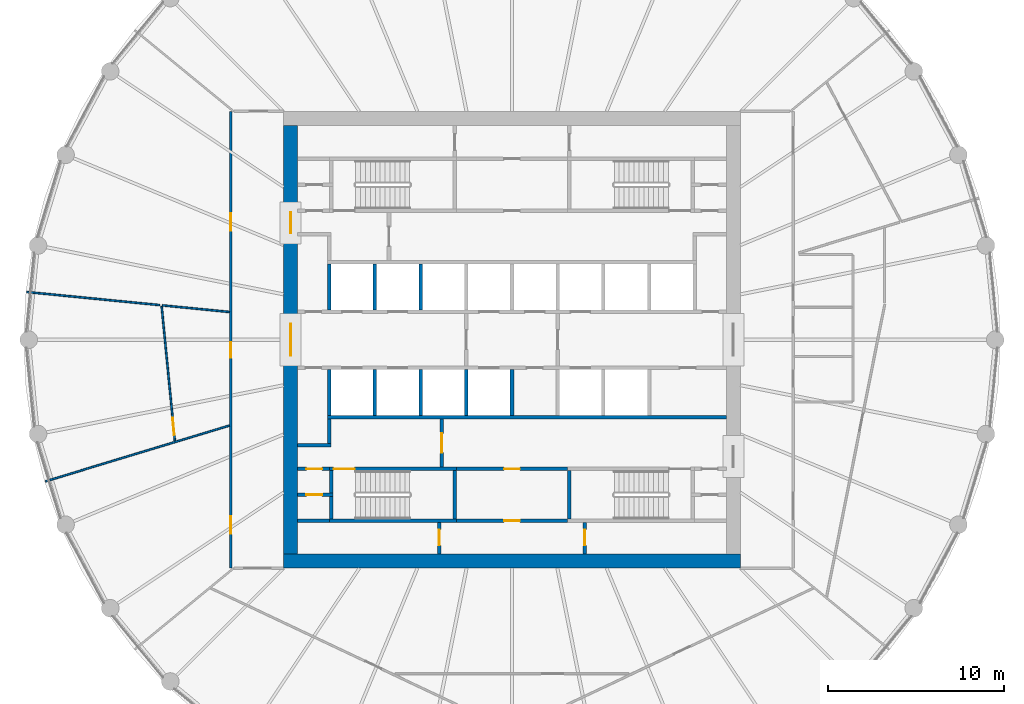
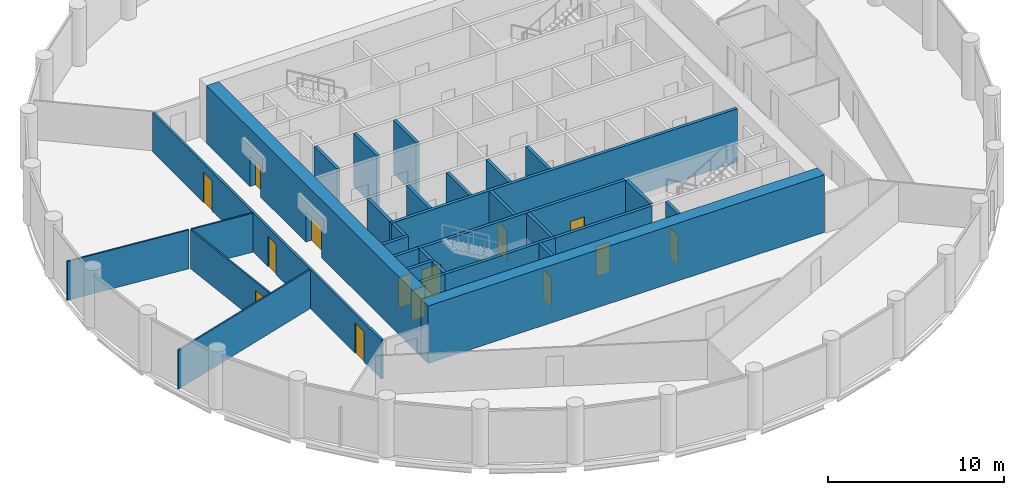
# One storey, part 4 of 8: 32 walls, 14 doors, 14 openings.
"""IFC4 building model written with IfcOpenShell, lengths in metres."""

from ifc_helpers import new_model, si_unit, direction, frame, frame_2d, origin, place, context, subcontext, project, spatial, polyline, rectangle, outline, extrude, material, layer, layer_set, type_object, element, fill, save


model = new_model("IFC4")

# Units and contexts
model_context = context("Model", 3, precision=1e-05, world=origin(), true_north=direction((0.0, 1.0)))
body_context = subcontext(model_context, "Body", "Model", "MODEL_VIEW")
ifc_project = project(units=[si_unit("LENGTHUNIT", "METRE"), si_unit("AREAUNIT", "SQUARE_METRE"), si_unit("VOLUMEUNIT", "CUBIC_METRE"), si_unit("PLANEANGLEUNIT", "RADIAN"), si_unit("MASSUNIT", "GRAM", prefix="KILO")], contexts=[model_context])

# Site, building, storey
site_placement = place(None, origin())
site = spatial("IfcSite", under=ifc_project, at=site_placement, CompositionType="ELEMENT")
building_placement = place(site_placement, origin())
building = spatial("IfcBuilding", under=site, at=building_placement, Name="Corvane Civic Tower", CompositionType="ELEMENT")
storey_placement = place(building_placement, frame((0.0, 0.0, 213.5)))
storey = spatial("IfcBuildingStorey", under=building, at=storey_placement, Name="L50", CompositionType="ELEMENT", Elevation=213.5)

# Wall
ifc_material_1 = material(Name="Concrete C50/60", Category="concrete")
ifc_layer_1 = layer(ifc_material_1, 0.800048828125)
ifc_layer_set_1 = layer_set([ifc_layer_1], Name="Concrete C50/60")
wall_type_1 = type_object("IfcWallType", Name="CORE WALL 800 C50/60", PredefinedType="SHEAR", material=ifc_layer_set_1)
wall_1_placement = place(storey_placement, frame((-13.0, -12.60009765625, 0.0), z_axis=(0.0, 0.0, 1.0), x_axis=(1.0, 0.0, 0.0)))
element("IfcWall", 1, at=wall_1_placement, inside=storey, type_object=wall_type_1, Name="W-L50-core-S", PredefinedType="SHEAR", context=body_context, shape_type="SweptSolid", body=[
    extrude(rectangle(XDim=26.0, YDim=0.800048828125, at=frame_2d((13.0, 0.0))), origin(), (0.0, 0.0, 1.0), 4.0),
])

# Wall, openings, doors
wall_2_placement = place(storey_placement, frame((-12.60009765625, -12.199951171875, 0.0), z_axis=(0.0, 0.0, 1.0), x_axis=(0.0, 1.0, 0.0)))
wall_2 = element("IfcWall", 2, at=wall_2_placement, inside=storey, type_object=wall_type_1, Name="W-L50-core-W", PredefinedType="SHEAR", context=body_context, shape_type="SweptSolid", body=[
    extrude(rectangle(XDim=24.39990234375, YDim=0.800048828125, at=frame_2d((12.199951171875, 0.0))), origin(), (0.0, 0.0, 1.0), 4.0),
])
opening_1_placement = place(wall_2_placement, frame((11.300048828125, 0.0, 0.0)))
opening_1 = element("IfcOpeningElement", 3, at=opening_1_placement, cuts=wall_2, Name="Opening L50.C30", PredefinedType="OPENING", context=body_context, shape_type="SweptSolid", body=[
    extrude(rectangle(XDim=1.800048828125, YDim=2.10009765625, at=frame_2d((0.89990234375, 1.050048828125))), frame((0.0, 0.409912109375, 0.0), z_axis=(0.0, -1.0, 0.0), x_axis=(1.0, 0.0, 0.0)), (0.0, 0.0, 1.0), 0.820068359375),
])
opening_2_placement = place(wall_2_placement, frame((18.25, 0.0, 0.0)))
opening_2 = element("IfcOpeningElement", 4, at=opening_2_placement, cuts=wall_2, Name="Opening L50.C32", PredefinedType="OPENING", context=body_context, shape_type="SweptSolid", body=[
    extrude(rectangle(XDim=1.199951171875, YDim=2.10009765625, at=frame_2d((0.60009765625, 1.050048828125))), frame((0.0, 0.409912109375, 0.0), z_axis=(0.0, -1.0, 0.0), x_axis=(1.0, 0.0, 0.0)), (0.0, 0.0, 1.0), 0.820068359375),
])
ifc_material_2 = material(Name="Steel fire door leaf", Category="steel")
door_type_1 = type_object("IfcDoorType", Name="CR-DOOR-CORE-1800", OperationType="DOUBLE_DOOR_SINGLE_SWING", PredefinedType="DOOR", material=ifc_material_2)
door_1_placement = place(opening_1_placement, origin())
door_1 = element("IfcDoor", 5, at=door_1_placement, inside=storey, type_object=door_type_1, Name="L50 door", OperationType="DOUBLE_DOOR_SINGLE_SWING", OverallHeight=2.10009765625, OverallWidth=1.800048828125, PredefinedType="DOOR", context=body_context, shape_type="SweptSolid", body=[
    extrude(rectangle(XDim=1.800048828125, YDim=2.10009765625, at=frame_2d((0.89990234375, 1.050048828125))), frame((0.0, 0.02490234375, 0.0), z_axis=(0.0, -1.0, 0.0), x_axis=(1.0, 0.0, 0.0)), (0.0, 0.0, 1.0), 0.050048828125),
])
fill(opening_1, door_1)
door_2_placement = place(opening_2_placement, origin())
door_2 = element("IfcDoor", 6, at=door_2_placement, inside=storey, type_object=door_type_1, Name="L50 door", OperationType="DOUBLE_DOOR_SINGLE_SWING", OverallHeight=2.10009765625, OverallWidth=1.199951171875, PredefinedType="DOOR", context=body_context, shape_type="SweptSolid", body=[
    extrude(rectangle(XDim=1.199951171875, YDim=2.10009765625, at=frame_2d((0.60009765625, 1.050048828125))), frame((0.0, 0.02490234375, 0.0), z_axis=(0.0, -1.0, 0.0), x_axis=(1.0, 0.0, 0.0)), (0.0, 0.0, 1.0), 0.050048828125),
])
fill(opening_2, door_2)

# Wall, opening, door
ifc_material_3 = material(Name="Concrete C30/37", Category="concrete")
ifc_layer_2 = layer(ifc_material_3, 0.199951171875)
ifc_layer_set_2 = layer_set([ifc_layer_2], Name="Concrete C30/37")
wall_type_2 = type_object("IfcWallType", Name="CR-WALL-200", PredefinedType="PARTITIONING", material=ifc_layer_set_2)
wall_3_placement = place(storey_placement, frame((-3.14990234375, -10.300048828125, 0.0), z_axis=(0.0, 0.0, 1.0), x_axis=(1.0, 0.0, 0.0)))
wall_3 = element("IfcWall", 7, at=wall_3_placement, inside=storey, type_object=wall_type_2, Name="L50 partition wall", PredefinedType="PARTITIONING", context=body_context, shape_type="SweptSolid", body=[
    extrude(rectangle(XDim=6.2998046875, YDim=0.199951171875, at=frame_2d((3.14990234375, 0.0))), origin(), (0.0, 0.0, 1.0), 3.699951171875),
])
opening_3_placement = place(wall_3_placement, frame((2.699951171875, 0.0, 0.0)))
opening_3 = element("IfcOpeningElement", 8, at=opening_3_placement, cuts=wall_3, Name="Opening L50.C12", PredefinedType="OPENING", context=body_context, shape_type="SweptSolid", body=[
    extrude(rectangle(XDim=0.89990234375, YDim=2.10009765625, at=frame_2d((0.449951171875, 1.050048828125))), frame((0.0, 0.10986328125, 0.0), z_axis=(0.0, -1.0, 0.0), x_axis=(1.0, 0.0, 0.0)), (0.0, 0.0, 1.0), 0.219970703125),
])
ifc_material_4 = material(Name="Steel fire door leaf", Category="steel")
door_type_2 = type_object("IfcDoorType", Name="CR-DOOR-900", OperationType="SINGLE_SWING_LEFT", PredefinedType="DOOR", material=ifc_material_4)
door_3_placement = place(opening_3_placement, origin())
door_3 = element("IfcDoor", 9, at=door_3_placement, inside=storey, type_object=door_type_2, Name="L50 door", OperationType="SINGLE_SWING_LEFT", OverallHeight=2.10009765625, OverallWidth=0.89990234375, PredefinedType="DOOR", context=body_context, shape_type="SweptSolid", body=[
    extrude(rectangle(XDim=0.89990234375, YDim=2.10009765625, at=frame_2d((0.449951171875, 1.050048828125))), frame((0.0, 0.02490234375, 0.0), z_axis=(0.0, -1.0, 0.0), x_axis=(1.0, 0.0, 0.0)), (0.0, 0.0, 1.0), 0.050048828125),
])
fill(opening_3, door_3)

wall_4_placement = place(storey_placement, frame((-12.199951171875, -8.824951171875, 0.0), z_axis=(0.0, 0.0, 1.0), x_axis=(1.0, 0.0, 0.0)))
wall_4 = element("IfcWall", 10, at=wall_4_placement, inside=storey, type_object=wall_type_2, Name="L50 partition wall", PredefinedType="PARTITIONING", context=body_context, shape_type="SweptSolid", body=[
    extrude(rectangle(XDim=2.0, YDim=0.199951171875, at=frame_2d((1.0, 0.0))), origin(), (0.0, 0.0, 1.0), 3.699951171875),
])
opening_4_placement = place(wall_4_placement, frame((0.5, 0.0, 0.0)))
opening_4 = element("IfcOpeningElement", 11, at=opening_4_placement, cuts=wall_4, Name="Opening L50.C17", PredefinedType="OPENING", context=body_context, shape_type="SweptSolid", body=[
    extrude(rectangle(XDim=0.89990234375, YDim=2.10009765625, at=frame_2d((0.449951171875, 1.050048828125))), frame((0.0, 0.10986328125, 0.0), z_axis=(0.0, -1.0, 0.0), x_axis=(1.0, 0.0, 0.0)), (0.0, 0.0, 1.0), 0.219970703125),
])
door_4_placement = place(opening_4_placement, origin())
door_4 = element("IfcDoor", 12, at=door_4_placement, inside=storey, type_object=door_type_2, Name="L50 door", OperationType="SINGLE_SWING_LEFT", OverallHeight=2.10009765625, OverallWidth=0.89990234375, PredefinedType="DOOR", context=body_context, shape_type="SweptSolid", body=[
    extrude(rectangle(XDim=0.89990234375, YDim=2.10009765625, at=frame_2d((0.449951171875, 1.050048828125))), frame((0.0, 0.02490234375, 0.0), z_axis=(0.0, -1.0, 0.0), x_axis=(1.0, 0.0, 0.0)), (0.0, 0.0, 1.0), 0.050048828125),
])
fill(opening_4, door_4)

wall_5_placement = place(storey_placement, frame((-12.199951171875, -7.35009765625, 0.0), z_axis=(0.0, 0.0, 1.0), x_axis=(1.0, 0.0, 0.0)))
wall_5 = element("IfcWall", 13, at=wall_5_placement, inside=storey, type_object=wall_type_2, Name="L50 core partition wall", PredefinedType="PARTITIONING", context=body_context, shape_type="SweptSolid", body=[
    extrude(rectangle(XDim=1.800048828125, YDim=0.199951171875, at=frame_2d((0.89990234375, 0.0))), origin(), (0.0, 0.0, 1.0), 3.699951171875),
])
opening_5_placement = place(wall_5_placement, frame((0.5, 0.0, 0.0)))
opening_5 = element("IfcOpeningElement", 14, at=opening_5_placement, cuts=wall_5, Name="Opening L50.C16", PredefinedType="OPENING", context=body_context, shape_type="SweptSolid", body=[
    extrude(rectangle(XDim=0.89990234375, YDim=2.10009765625, at=frame_2d((0.449951171875, 1.050048828125))), frame((0.0, 0.10986328125, 0.0), z_axis=(0.0, -1.0, 0.0), x_axis=(1.0, 0.0, 0.0)), (0.0, 0.0, 1.0), 0.219970703125),
])
door_5_placement = place(opening_5_placement, origin())
door_5 = element("IfcDoor", 15, at=door_5_placement, inside=storey, type_object=door_type_2, Name="L50 door", OperationType="SINGLE_SWING_LEFT", OverallHeight=2.10009765625, OverallWidth=0.89990234375, PredefinedType="DOOR", context=body_context, shape_type="SweptSolid", body=[
    extrude(rectangle(XDim=0.89990234375, YDim=2.10009765625, at=frame_2d((0.449951171875, 1.050048828125))), frame((0.0, 0.02490234375, 0.0), z_axis=(0.0, -1.0, 0.0), x_axis=(1.0, 0.0, 0.0)), (0.0, 0.0, 1.0), 0.050048828125),
])
fill(opening_5, door_5)

wall_6_placement = place(storey_placement, frame((-3.14990234375, -7.35009765625, 0.0), z_axis=(0.0, 0.0, 1.0), x_axis=(1.0, 0.0, 0.0)))
wall_6 = element("IfcWall", 16, at=wall_6_placement, inside=storey, type_object=wall_type_2, Name="L50 core partition wall", PredefinedType="PARTITIONING", context=body_context, shape_type="SweptSolid", body=[
    extrude(rectangle(XDim=6.2998046875, YDim=0.199951171875, at=frame_2d((3.14990234375, 0.0))), origin(), (0.0, 0.0, 1.0), 3.699951171875),
])
opening_6_placement = place(wall_6_placement, frame((2.699951171875, 0.0, 0.0)))
opening_6 = element("IfcOpeningElement", 17, at=opening_6_placement, cuts=wall_6, Name="Opening L50.C07", PredefinedType="OPENING", context=body_context, shape_type="SweptSolid", body=[
    extrude(rectangle(XDim=0.89990234375, YDim=2.10009765625, at=frame_2d((0.449951171875, 1.050048828125))), frame((0.0, 0.10986328125, 0.0), z_axis=(0.0, -1.0, 0.0), x_axis=(1.0, 0.0, 0.0)), (0.0, 0.0, 1.0), 0.219970703125),
])
door_6_placement = place(opening_6_placement, origin())
door_6 = element("IfcDoor", 18, at=door_6_placement, inside=storey, type_object=door_type_2, Name="L50 door", OperationType="SINGLE_SWING_LEFT", OverallHeight=2.10009765625, OverallWidth=0.89990234375, PredefinedType="DOOR", context=body_context, shape_type="SweptSolid", body=[
    extrude(rectangle(XDim=0.89990234375, YDim=2.10009765625, at=frame_2d((0.449951171875, 1.050048828125))), frame((0.0, 0.02490234375, 0.0), z_axis=(0.0, -1.0, 0.0), x_axis=(1.0, 0.0, 0.0)), (0.0, 0.0, 1.0), 0.050048828125),
])
fill(opening_6, door_6)

wall_7_placement = place(storey_placement, frame((-4.14990234375, -12.199951171875, 0.0), z_axis=(0.0, 0.0, 1.0), x_axis=(0.0, 1.0, 0.0)))
wall_7 = element("IfcWall", 19, at=wall_7_placement, inside=storey, type_object=wall_type_2, Name="L50 partition wall", PredefinedType="PARTITIONING", context=body_context, shape_type="SweptSolid", body=[
    extrude(rectangle(XDim=1.800048828125, YDim=0.199951171875, at=frame_2d((0.89990234375, 0.0))), origin(), (0.0, 0.0, 1.0), 3.699951171875),
])
opening_7_placement = place(wall_7_placement, frame((0.5, 0.0, 0.0)))
opening_7 = element("IfcOpeningElement", 20, at=opening_7_placement, cuts=wall_7, Name="Opening L50.C11", PredefinedType="OPENING", context=body_context, shape_type="SweptSolid", body=[
    extrude(rectangle(XDim=0.89990234375, YDim=2.10009765625, at=frame_2d((0.449951171875, 1.050048828125))), frame((0.0, 0.10986328125, 0.0), z_axis=(0.0, -1.0, 0.0), x_axis=(1.0, 0.0, 0.0)), (0.0, 0.0, 1.0), 0.219970703125),
])
door_7_placement = place(opening_7_placement, origin())
door_7 = element("IfcDoor", 21, at=door_7_placement, inside=storey, type_object=door_type_2, Name="L50 door", OperationType="SINGLE_SWING_LEFT", OverallHeight=2.10009765625, OverallWidth=0.89990234375, PredefinedType="DOOR", context=body_context, shape_type="SweptSolid", body=[
    extrude(rectangle(XDim=0.89990234375, YDim=2.10009765625, at=frame_2d((0.449951171875, 1.050048828125))), frame((0.0, 0.02490234375, 0.0), z_axis=(0.0, -1.0, 0.0), x_axis=(1.0, 0.0, 0.0)), (0.0, 0.0, 1.0), 0.050048828125),
])
fill(opening_7, door_7)

wall_8_placement = place(storey_placement, frame((-4.0, -7.25, 0.0), z_axis=(0.0, 0.0, 1.0), x_axis=(0.0, 1.0, 0.0)))
wall_8 = element("IfcWall", 22, at=wall_8_placement, inside=storey, type_object=wall_type_2, Name="L50 core partition wall", PredefinedType="PARTITIONING", context=body_context, shape_type="SweptSolid", body=[
    extrude(rectangle(XDim=2.75, YDim=0.199951171875, at=frame_2d((1.375, 0.0))), origin(), (0.0, 0.0, 1.0), 3.699951171875),
])
opening_8_placement = place(wall_8_placement, frame((0.824951171875, 0.0, 0.0)))
opening_8 = element("IfcOpeningElement", 23, at=opening_8_placement, cuts=wall_8, Name="Opening L50.C29", PredefinedType="OPENING", context=body_context, shape_type="SweptSolid", body=[
    extrude(rectangle(XDim=1.10009765625, YDim=2.10009765625, at=frame_2d((0.550048828125, 1.050048828125))), frame((0.0, 0.10986328125, 0.0), z_axis=(0.0, -1.0, 0.0), x_axis=(1.0, 0.0, 0.0)), (0.0, 0.0, 1.0), 0.219970703125),
])
ifc_material_5 = material(Name="Steel fire door leaf", Category="steel")
door_type_3 = type_object("IfcDoorType", Name="CR-DOOR-FFL-1100", OperationType="SINGLE_SWING_LEFT", PredefinedType="DOOR", material=ifc_material_5)
door_8_placement = place(opening_8_placement, origin())
door_8 = element("IfcDoor", 24, at=door_8_placement, inside=storey, type_object=door_type_3, Name="L50 lobby door", OperationType="SINGLE_SWING_LEFT", OverallHeight=2.10009765625, OverallWidth=1.10009765625, PredefinedType="DOOR", context=body_context, shape_type="SweptSolid", body=[
    extrude(rectangle(XDim=1.10009765625, YDim=2.10009765625, at=frame_2d((0.550048828125, 1.050048828125))), frame((0.0, 0.02490234375, 0.0), z_axis=(0.0, -1.0, 0.0), x_axis=(1.0, 0.0, 0.0)), (0.0, 0.0, 1.0), 0.050048828125),
])
fill(opening_8, door_8)

wall_9_placement = place(storey_placement, frame((4.14990234375, -12.199951171875, 0.0), z_axis=(0.0, 0.0, 1.0), x_axis=(0.0, 1.0, 0.0)))
wall_9 = element("IfcWall", 25, at=wall_9_placement, inside=storey, type_object=wall_type_2, Name="L50 partition wall", PredefinedType="PARTITIONING", context=body_context, shape_type="SweptSolid", body=[
    extrude(rectangle(XDim=1.800048828125, YDim=0.199951171875, at=frame_2d((0.89990234375, 0.0))), origin(), (0.0, 0.0, 1.0), 3.699951171875),
])
opening_9_placement = place(wall_9_placement, frame((0.5, 0.0, 0.0)))
opening_9 = element("IfcOpeningElement", 26, at=opening_9_placement, cuts=wall_9, Name="Opening L50.C13", PredefinedType="OPENING", context=body_context, shape_type="SweptSolid", body=[
    extrude(rectangle(XDim=0.89990234375, YDim=2.10009765625, at=frame_2d((0.449951171875, 1.050048828125))), frame((0.0, 0.10986328125, 0.0), z_axis=(0.0, -1.0, 0.0), x_axis=(1.0, 0.0, 0.0)), (0.0, 0.0, 1.0), 0.219970703125),
])
door_9_placement = place(opening_9_placement, origin())
door_9 = element("IfcDoor", 27, at=door_9_placement, inside=storey, type_object=door_type_2, Name="L50 door", OperationType="SINGLE_SWING_LEFT", OverallHeight=2.10009765625, OverallWidth=0.89990234375, PredefinedType="DOOR", context=body_context, shape_type="SweptSolid", body=[
    extrude(rectangle(XDim=0.89990234375, YDim=2.10009765625, at=frame_2d((0.449951171875, 1.050048828125))), frame((0.0, 0.02490234375, 0.0), z_axis=(0.0, -1.0, 0.0), x_axis=(1.0, 0.0, 0.0)), (0.0, 0.0, 1.0), 0.050048828125),
])
fill(opening_9, door_9)

# Walls
wall_10_placement = place(storey_placement, origin())
element("IfcWall", 28, at=wall_10_placement, inside=storey, type_object=wall_type_2, Name="L50 core partition wall", PredefinedType="PARTITIONING", context=body_context, shape_type="SweptSolid", body=[
    extrude(outline(polyline([(12.199951171875, -4.300048828125), (12.199951171875, -4.5), (-10.5, -4.5), (-10.5, -4.300048828125), (12.199951171875, -4.300048828125)])), origin(), (0.0, 0.0, 1.0), 3.699951171875),
])
wall_11_placement = place(storey_placement, origin())
element("IfcWall", 29, at=wall_11_placement, inside=storey, type_object=wall_type_2, Name="L50 core partition wall", PredefinedType="PARTITIONING", context=body_context, shape_type="SweptSolid", body=[
    extrude(outline(polyline([(-2.5, -1.699951171875), (-2.5, -4.2998046875), (-2.699951171875, -4.2998046875), (-2.699951171875, -1.699951171875), (-2.5, -1.699951171875)])), origin(), (0.0, 0.0, 1.0), 3.699951171875),
])
wall_12_placement = place(storey_placement, origin())
element("IfcWall", 30, at=wall_12_placement, inside=storey, type_object=wall_type_2, Name="L50 core partition wall", PredefinedType="PARTITIONING", context=body_context, shape_type="SweptSolid", body=[
    extrude(outline(polyline([(0.10009765625, -1.699951171875), (0.10009765625, -4.2998046875), (-0.10009765625, -4.2998046875), (-0.10009765625, -1.699951171875), (0.10009765625, -1.699951171875)])), origin(), (0.0, 0.0, 1.0), 3.699951171875),
])
wall_13_placement = place(storey_placement, origin())
element("IfcWall", 31, at=wall_13_placement, inside=storey, type_object=wall_type_2, Name="L50 core partition wall", PredefinedType="PARTITIONING", context=body_context, shape_type="SweptSolid", body=[
    extrude(outline(polyline([(-10.300048828125, -1.699951171875), (-10.300048828125, -4.2998046875), (-10.5, -4.2998046875), (-10.5, -1.699951171875), (-10.300048828125, -1.699951171875)])), origin(), (0.0, 0.0, 1.0), 3.699951171875),
])
wall_14_placement = place(storey_placement, origin())
element("IfcWall", 32, at=wall_14_placement, inside=storey, type_object=wall_type_2, Name="L50 core partition wall", PredefinedType="PARTITIONING", context=body_context, shape_type="SweptSolid", body=[
    extrude(outline(polyline([(-7.699951171875, -1.699951171875), (-7.699951171875, -4.2998046875), (-7.89990234375, -4.2998046875), (-7.89990234375, -1.699951171875), (-7.699951171875, -1.699951171875)])), origin(), (0.0, 0.0, 1.0), 3.699951171875),
])
wall_15_placement = place(storey_placement, origin())
element("IfcWall", 33, at=wall_15_placement, inside=storey, type_object=wall_type_2, Name="L50 core partition wall", PredefinedType="PARTITIONING", context=body_context, shape_type="SweptSolid", body=[
    extrude(outline(polyline([(-5.10009765625, -1.699951171875), (-5.10009765625, -4.2998046875), (-5.300048828125, -4.2998046875), (-5.300048828125, -1.699951171875), (-5.10009765625, -1.699951171875)])), origin(), (0.0, 0.0, 1.0), 3.699951171875),
])
wall_16_placement = place(storey_placement, origin())
element("IfcWall", 34, at=wall_16_placement, inside=storey, type_object=wall_type_2, Name="L50 core partition wall", PredefinedType="PARTITIONING", context=body_context, shape_type="SweptSolid", body=[
    extrude(outline(polyline([(-10.300048828125, -6.10009765625), (-12.199951171875, -6.10009765625), (-12.199951171875, -5.89990234375), (-10.300048828125, -5.89990234375), (-10.300048828125, -6.10009765625)])), origin(), (0.0, 0.0, 1.0), 3.699951171875),
])
wall_17_placement = place(storey_placement, origin())
element("IfcWall", 35, at=wall_17_placement, inside=storey, type_object=wall_type_2, Name="L50 core partition wall", PredefinedType="PARTITIONING", context=body_context, shape_type="SweptSolid", body=[
    extrude(outline(polyline([(-10.300048828125, -5.89990234375), (-10.5, -5.89990234375), (-10.5, -4.5), (-10.300048828125, -4.5), (-10.300048828125, -5.89990234375)])), origin(), (0.0, 0.0, 1.0), 3.699951171875),
])
wall_18_placement = place(storey_placement, origin())
element("IfcWall", 36, at=wall_18_placement, inside=storey, type_object=wall_type_2, Name="L50 core partition wall", PredefinedType="PARTITIONING", context=body_context, shape_type="SweptSolid", body=[
    extrude(outline(polyline([(-10.300048828125, 1.699951171875), (-10.5, 1.699951171875), (-10.5, 4.2998046875), (-10.300048828125, 4.2998046875), (-10.300048828125, 1.699951171875)])), origin(), (0.0, 0.0, 1.0), 3.699951171875),
])
wall_19_placement = place(storey_placement, origin())
element("IfcWall", 37, at=wall_19_placement, inside=storey, type_object=wall_type_2, Name="L50 core partition wall", PredefinedType="PARTITIONING", context=body_context, shape_type="SweptSolid", body=[
    extrude(outline(polyline([(-7.699951171875, 1.699951171875), (-7.89990234375, 1.699951171875), (-7.89990234375, 4.2998046875), (-7.699951171875, 4.2998046875), (-7.699951171875, 1.699951171875)])), origin(), (0.0, 0.0, 1.0), 3.699951171875),
])
wall_20_placement = place(storey_placement, origin())
element("IfcWall", 38, at=wall_20_placement, inside=storey, type_object=wall_type_2, Name="L50 core partition wall", PredefinedType="PARTITIONING", context=body_context, shape_type="SweptSolid", body=[
    extrude(outline(polyline([(-5.10009765625, 1.699951171875), (-5.300048828125, 1.699951171875), (-5.300048828125, 4.2998046875), (-5.10009765625, 4.2998046875), (-5.10009765625, 1.699951171875)])), origin(), (0.0, 0.0, 1.0), 3.699951171875),
])
wall_21_placement = place(storey_placement, origin())
element("IfcWall", 39, at=wall_21_placement, inside=storey, type_object=wall_type_2, Name="L50 core partition wall", PredefinedType="PARTITIONING", context=body_context, shape_type="SweptSolid", body=[
    extrude(outline(polyline([(-10.39990234375, -10.39990234375), (-12.199951171875, -10.39990234375), (-12.199951171875, -10.199951171875), (-10.39990234375, -10.199951171875), (-10.39990234375, -10.39990234375)])), origin(), (0.0, 0.0, 1.0), 3.699951171875),
])
ifc_material_6 = material(Name="Plasterboard")
ifc_layer_3 = layer(ifc_material_6, 0.10009765625)
ifc_layer_set_3 = layer_set([ifc_layer_3], Name="Plasterboard")
wall_type_3 = type_object("IfcWallType", Name="Partition 100 plasterboard on studs", PredefinedType="PARTITIONING", material=ifc_layer_set_3)
wall_22_placement = place(storey_placement, frame((-26.555419921875, -8.055419921875, 0.0), z_axis=(0.0, 0.0, 1.0), x_axis=(0.956939502521, 0.290287423971, 0.0)))
element("IfcWall", 40, at=wall_22_placement, inside=storey, type_object=wall_type_3, Name="Partition L50.012", PredefinedType="PARTITIONING", context=body_context, shape_type="SweptSolid", body=[
    extrude(rectangle(XDim=10.936767578125, YDim=0.10009765625, at=frame_2d((5.46826171875, 0.0))), origin(), (0.0, 0.0, 1.0), 2.699951171875),
])

# Wall, opening, door
wall_23_placement = place(storey_placement, frame((-19.9384765625, 1.90380859375, 0.0), z_axis=(0.0, 0.0, 1.0), x_axis=(0.097999495678, -0.995186464361, 0.0)))
wall_23 = element("IfcWall", 41, at=wall_23_placement, inside=storey, type_object=wall_type_3, Name="Partition L50.013", PredefinedType="PARTITIONING", context=body_context, shape_type="SweptSolid", body=[
    extrude(rectangle(XDim=7.697998046875, YDim=0.10009765625, at=frame_2d((3.84912109375, 0.0))), origin(), (0.0, 0.0, 1.0), 2.699951171875),
])
opening_10_placement = place(wall_23_placement, frame((6.359130859375, 0.0, 0.0)))
opening_10 = element("IfcOpeningElement", 42, at=opening_10_placement, cuts=wall_23, Name="Opening L50.014", PredefinedType="OPENING", context=body_context, shape_type="SweptSolid", body=[
    extrude(rectangle(XDim=1.0, YDim=2.10009765625, at=frame_2d((0.5, 1.050048828125))), frame((0.0, 0.06005859375, 0.0), z_axis=(0.0, -1.0, 0.0), x_axis=(1.0, 0.0, 0.0)), (0.0, 0.0, 1.0), 0.1201171875),
])
ifc_material_7 = material(Name="Timber", Category="wood")
door_type_4 = type_object("IfcDoorType", Name="Single door 1000", OperationType="NOTDEFINED", PredefinedType="DOOR", material=ifc_material_7)
door_10_placement = place(opening_10_placement, frame((1.0, 0.0, 0.0), z_axis=(0.0, 0.0, 1.0), x_axis=(-1.0, 0.0, 0.0)))
door_10 = element("IfcDoor", 43, at=door_10_placement, inside=storey, type_object=door_type_4, Name="Door L50.014", OperationType="SINGLE_SWING_LEFT", OverallHeight=2.10009765625, OverallWidth=1.0, PredefinedType="DOOR", context=body_context, shape_type="SweptSolid", body=[
    extrude(rectangle(XDim=1.0, YDim=2.10009765625, at=frame_2d((0.5, 1.050048828125))), frame((0.0, 0.02490234375, 0.0), z_axis=(0.0, -1.0, 0.0), x_axis=(1.0, 0.0, 0.0)), (0.0, 0.0, 1.0), 0.050048828125),
])
fill(opening_10, door_10)

# Walls
wall_24_placement = place(storey_placement, frame((-19.893798828125, 1.95947265625, 0.0), z_axis=(0.0, 0.0, 1.0), x_axis=(0.995182444017, -0.098040313746, 0.0)))
element("IfcWall", 44, at=wall_24_placement, inside=storey, type_object=wall_type_3, Name="Partition L50.017", PredefinedType="PARTITIONING", context=body_context, shape_type="SweptSolid", body=[
    extrude(rectangle(XDim=3.83251953125, YDim=0.10009765625, at=frame_2d((1.916259765625, 0.0))), origin(), (0.0, 0.0, 1.0), 2.699951171875),
])
wall_25_placement = place(storey_placement, frame((-27.616455078125, 2.719970703125, 0.0), z_axis=(0.0, 0.0, 1.0), x_axis=(0.995186478437, -0.097999352733, 0.0)))
element("IfcWall", 45, at=wall_25_placement, inside=storey, type_object=wall_type_3, Name="Partition L50.019", PredefinedType="PARTITIONING", context=body_context, shape_type="SweptSolid", body=[
    extrude(rectangle(XDim=7.600830078125, YDim=0.10009765625, at=frame_2d((3.80029296875, 0.0))), origin(), (0.0, 0.0, 1.0), 2.699951171875),
])

# Wall, opening, door
ifc_material_8 = material(Name="Concrete C50/60", Category="concrete")
ifc_layer_4 = layer(ifc_material_8, 0.199951171875)
ifc_layer_set_4 = layer_set([ifc_layer_4], Name="Concrete C50/60")
wall_type_4 = type_object("IfcWallType", Name="ST-WALL-200", PredefinedType="SHEAR", material=ifc_layer_set_4)
wall_26_placement = place(storey_placement, frame((-10.39990234375, -7.35009765625, 0.0), z_axis=(0.0, 0.0, 1.0), x_axis=(1.0, 0.0, 0.0)))
wall_26 = element("IfcWall", 46, at=wall_26_placement, inside=storey, type_object=wall_type_4, Name="L50 stair enclosure wall", PredefinedType="SHEAR", context=body_context, shape_type="SweptSolid", body=[
    extrude(rectangle(XDim=7.25, YDim=0.199951171875, at=frame_2d((3.625, 0.0))), origin(), (0.0, 0.0, 1.0), 3.699951171875),
])
opening_11_placement = place(wall_26_placement, frame((0.25, 0.0, 0.0)))
opening_11 = element("IfcOpeningElement", 47, at=opening_11_placement, cuts=wall_26, Name="Opening L50.C25", PredefinedType="OPENING", context=body_context, shape_type="SweptSolid", body=[
    extrude(rectangle(XDim=1.199951171875, YDim=2.10009765625, at=frame_2d((0.60009765625, 1.050048828125))), frame((0.0, 0.10986328125, 0.0), z_axis=(0.0, -1.0, 0.0), x_axis=(1.0, 0.0, 0.0)), (0.0, 0.0, 1.0), 0.219970703125),
])
ifc_material_9 = material(Name="Steel fire door leaf", Category="steel")
door_type_5 = type_object("IfcDoorType", Name="ST-DOOR-1200", OperationType="SINGLE_SWING_RIGHT", PredefinedType="DOOR", material=ifc_material_9)
door_11_placement = place(opening_11_placement, origin())
door_11 = element("IfcDoor", 48, at=door_11_placement, inside=storey, type_object=door_type_5, Name="L50 stair door", OperationType="SINGLE_SWING_RIGHT", OverallHeight=2.10009765625, OverallWidth=1.199951171875, PredefinedType="DOOR", context=body_context, shape_type="SweptSolid", body=[
    extrude(rectangle(XDim=1.199951171875, YDim=2.10009765625, at=frame_2d((0.60009765625, 1.050048828125))), frame((0.0, 0.02490234375, 0.0), z_axis=(0.0, -1.0, 0.0), x_axis=(1.0, 0.0, 0.0)), (0.0, 0.0, 1.0), 0.050048828125),
])
fill(opening_11, door_11)

# Walls
wall_27_placement = place(storey_placement, origin())
element("IfcWall", 49, at=wall_27_placement, inside=storey, type_object=wall_type_4, Name="L50 stair enclosure wall", PredefinedType="SHEAR", context=body_context, shape_type="SweptSolid", body=[
    extrude(outline(polyline([(-3.14990234375, -10.199951171875), (-3.14990234375, -10.39990234375), (-10.39990234375, -10.39990234375), (-10.39990234375, -10.199951171875), (-3.14990234375, -10.199951171875)])), origin(), (0.0, 0.0, 1.0), 3.699951171875),
])
wall_28_placement = place(storey_placement, origin())
element("IfcWall", 50, at=wall_28_placement, inside=storey, type_object=wall_type_4, Name="L50 stair enclosure wall", PredefinedType="SHEAR", context=body_context, shape_type="SweptSolid", body=[
    extrude(outline(polyline([(-3.14990234375, -7.449951171875), (-3.14990234375, -10.199951171875), (-3.35009765625, -10.199951171875), (-3.35009765625, -7.449951171875), (-3.14990234375, -7.449951171875)])), origin(), (0.0, 0.0, 1.0), 3.699951171875),
])
wall_29_placement = place(storey_placement, origin())
element("IfcWall", 51, at=wall_29_placement, inside=storey, type_object=wall_type_4, Name="L50 stair enclosure wall", PredefinedType="SHEAR", context=body_context, shape_type="SweptSolid", body=[
    extrude(outline(polyline([(3.35009765625, -7.449951171875), (3.35009765625, -10.199951171875), (3.14990234375, -10.199951171875), (3.14990234375, -7.449951171875), (3.35009765625, -7.449951171875)])), origin(), (0.0, 0.0, 1.0), 3.699951171875),
])
wall_30_placement = place(storey_placement, origin())
element("IfcWall", 52, at=wall_30_placement, inside=storey, type_object=wall_type_4, Name="L50 stair enclosure wall", PredefinedType="SHEAR", context=body_context, shape_type="SweptSolid", body=[
    extrude(outline(polyline([(-10.199951171875, -7.449951171875), (-10.199951171875, -8.72509765625), (-10.39990234375, -8.72509765625), (-10.39990234375, -7.449951171875), (-10.199951171875, -7.449951171875)])), origin(), (0.0, 0.0, 1.0), 3.699951171875),
])
wall_31_placement = place(storey_placement, origin())
element("IfcWall", 53, at=wall_31_placement, inside=storey, type_object=wall_type_4, Name="L50 stair enclosure wall", PredefinedType="SHEAR", context=body_context, shape_type="SweptSolid", body=[
    extrude(outline(polyline([(-10.199951171875, -8.925048828125), (-10.199951171875, -10.199951171875), (-10.39990234375, -10.199951171875), (-10.39990234375, -8.925048828125), (-10.199951171875, -8.925048828125)])), origin(), (0.0, 0.0, 1.0), 3.699951171875),
])

# Wall, openings, doors
ifc_material_10 = material(Name="Plasterboard")
ifc_layer_5 = layer(ifc_material_10, 0.14990234375)
ifc_layer_set_5 = layer_set([ifc_layer_5], Name="Plasterboard")
wall_type_5 = type_object("IfcWallType", Name="Tenancy wall 150 EI 60", PredefinedType="PARTITIONING", material=ifc_layer_set_5)
wall_32_placement = place(storey_placement, frame((-16.0, -13.0, 0.0), z_axis=(0.0, 0.0, 1.0), x_axis=(0.0, 1.0, 0.0)))
wall_32 = element("IfcWall", 54, at=wall_32_placement, inside=storey, type_object=wall_type_5, Name="Partition L50.008", PredefinedType="PARTITIONING", context=body_context, shape_type="SweptSolid", body=[
    extrude(rectangle(XDim=26.0, YDim=0.14990234375, at=frame_2d((13.0, 0.0))), origin(), (0.0, 0.0, 1.0), 2.699951171875),
])
opening_12_placement = place(wall_32_placement, frame((1.971923828125, 0.0, 0.0)))
opening_12 = element("IfcOpeningElement", 55, at=opening_12_placement, cuts=wall_32, Name="Opening L50.013", PredefinedType="OPENING", context=body_context, shape_type="SweptSolid", body=[
    extrude(rectangle(XDim=1.0, YDim=2.10009765625, at=frame_2d((0.5, 1.050048828125))), frame((0.0, 0.0849609375, 0.0), z_axis=(0.0, -1.0, 0.0), x_axis=(1.0, 0.0, 0.0)), (0.0, 0.0, 1.0), 0.169921875),
])
opening_13_placement = place(wall_32_placement, frame((11.96533203125, 0.0, 0.0)))
opening_13 = element("IfcOpeningElement", 56, at=opening_13_placement, cuts=wall_32, Name="Opening L50.015", PredefinedType="OPENING", context=body_context, shape_type="SweptSolid", body=[
    extrude(rectangle(XDim=0.89990234375, YDim=2.10009765625, at=frame_2d((0.449951171875, 1.050048828125))), frame((0.0, 0.0849609375, 0.0), z_axis=(0.0, -1.0, 0.0), x_axis=(1.0, 0.0, 0.0)), (0.0, 0.0, 1.0), 0.169921875),
])
opening_14_placement = place(wall_32_placement, frame((19.212646484375, 0.0, 0.0)))
opening_14 = element("IfcOpeningElement", 57, at=opening_14_placement, cuts=wall_32, Name="Opening L50.016", PredefinedType="OPENING", context=body_context, shape_type="SweptSolid", body=[
    extrude(rectangle(XDim=1.0, YDim=2.10009765625, at=frame_2d((0.5, 1.050048828125))), frame((0.0, 0.0849609375, 0.0), z_axis=(0.0, -1.0, 0.0), x_axis=(1.0, 0.0, 0.0)), (0.0, 0.0, 1.0), 0.169921875),
])
ifc_material_11 = material(Name="Steel and timber", Category="steel")
door_type_6 = type_object("IfcDoorType", Name="Fire door FD30S 1000", OperationType="NOTDEFINED", PredefinedType="DOOR", material=ifc_material_11)
door_12_placement = place(opening_12_placement, origin())
door_12 = element("IfcDoor", 58, at=door_12_placement, inside=storey, type_object=door_type_6, Name="Door L50.013", OperationType="SINGLE_SWING_LEFT", OverallHeight=2.10009765625, OverallWidth=1.0, PredefinedType="DOOR", context=body_context, shape_type="SweptSolid", body=[
    extrude(rectangle(XDim=1.0, YDim=2.10009765625, at=frame_2d((0.5, 1.050048828125))), frame((0.0, 0.02490234375, 0.0), z_axis=(0.0, -1.0, 0.0), x_axis=(1.0, 0.0, 0.0)), (0.0, 0.0, 1.0), 0.050048828125),
])
fill(opening_12, door_12)
door_13_placement = place(opening_14_placement, origin())
door_13 = element("IfcDoor", 59, at=door_13_placement, inside=storey, type_object=door_type_6, Name="Door L50.016", OperationType="SINGLE_SWING_LEFT", OverallHeight=2.10009765625, OverallWidth=1.0, PredefinedType="DOOR", context=body_context, shape_type="SweptSolid", body=[
    extrude(rectangle(XDim=1.0, YDim=2.10009765625, at=frame_2d((0.5, 1.050048828125))), frame((0.0, 0.02490234375, 0.0), z_axis=(0.0, -1.0, 0.0), x_axis=(1.0, 0.0, 0.0)), (0.0, 0.0, 1.0), 0.050048828125),
])
fill(opening_14, door_13)
ifc_material_12 = material(Name="Steel and timber", Category="steel")
door_type_7 = type_object("IfcDoorType", Name="Fire door FD30S 900", OperationType="NOTDEFINED", PredefinedType="DOOR", material=ifc_material_12)
door_14_placement = place(opening_13_placement, origin())
door_14 = element("IfcDoor", 60, at=door_14_placement, inside=storey, type_object=door_type_7, Name="Door L50.015", OperationType="SINGLE_SWING_RIGHT", OverallHeight=2.10009765625, OverallWidth=0.89990234375, PredefinedType="DOOR", context=body_context, shape_type="SweptSolid", body=[
    extrude(rectangle(XDim=0.89990234375, YDim=2.10009765625, at=frame_2d((0.449951171875, 1.050048828125))), frame((0.0, 0.02490234375, 0.0), z_axis=(0.0, -1.0, 0.0), x_axis=(1.0, 0.0, 0.0)), (0.0, 0.0, 1.0), 0.050048828125),
])
fill(opening_13, door_14)

save(model, "model.ifc")
